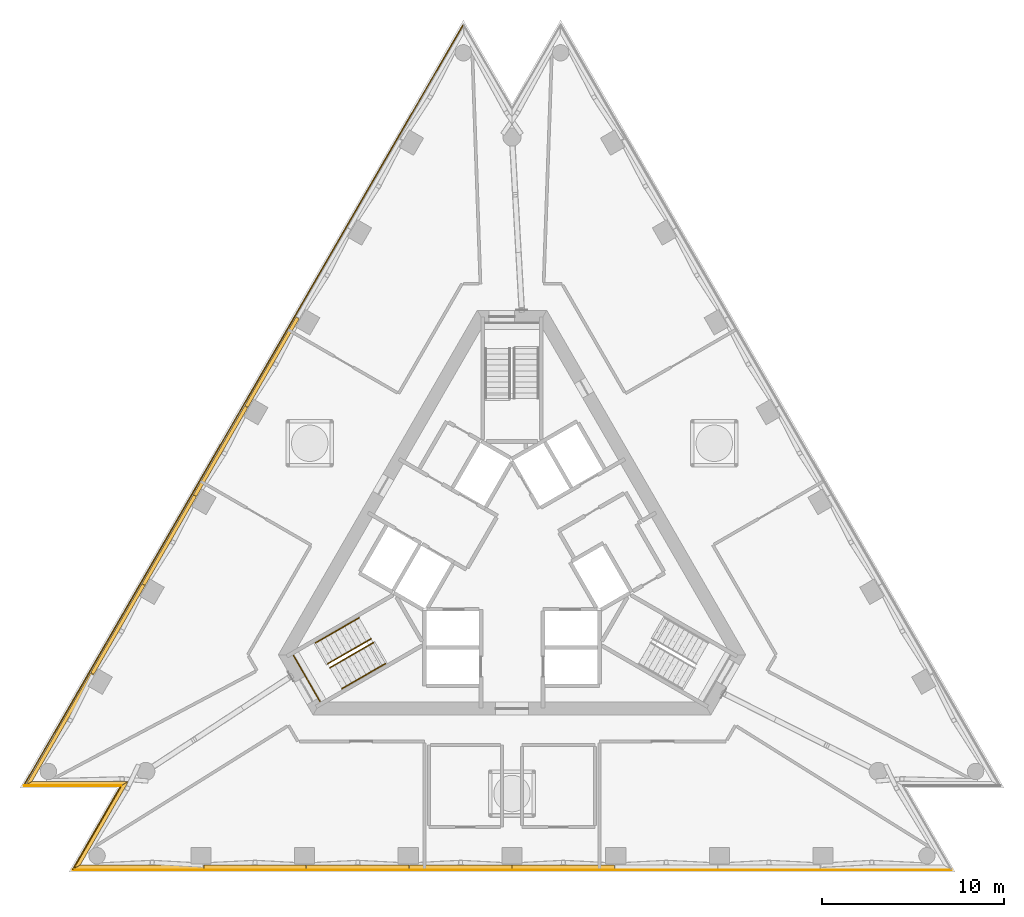
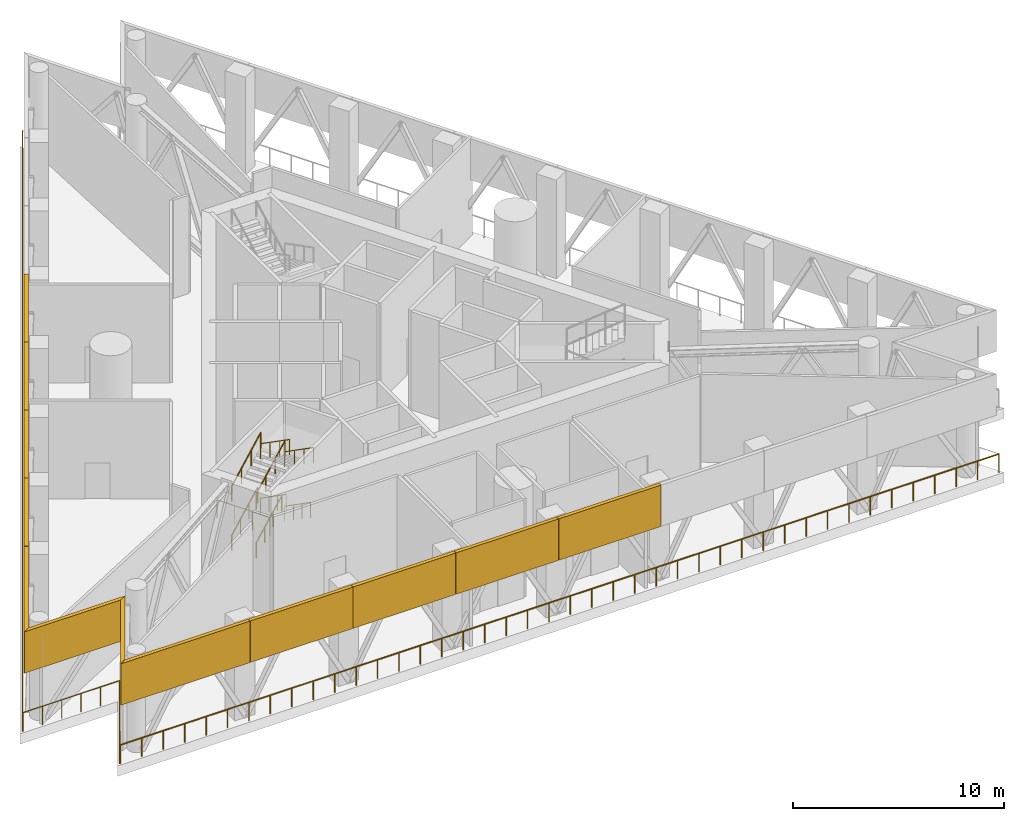
# One storey, part 12 of 15: 13 railings, 12 shading devices, 1 element without a shape of its own.
"""IFC4 building model written with IfcOpenShell, lengths in metres."""

from ifc_helpers import new_model, si_unit, direction, frame, origin, origin_2d, place, context, subcontext, project, spatial, polyline, circle, outline, extrude, material, layer, layer_set, type_object, element, aggregate, save


model = new_model("IFC4")

# Units and contexts
model_context = context("Model", 3, precision=1e-05, world=origin(), true_north=direction((0.0, 1.0)))
body_context = subcontext(model_context, "Body", "Model", "MODEL_VIEW")
ifc_project = project(units=[si_unit("LENGTHUNIT", "METRE"), si_unit("AREAUNIT", "SQUARE_METRE"), si_unit("VOLUMEUNIT", "CUBIC_METRE"), si_unit("PLANEANGLEUNIT", "RADIAN"), si_unit("MASSUNIT", "GRAM", prefix="KILO")], contexts=[model_context])

# Site, building, storey
site_placement = place(None, origin())
site = spatial("IfcSite", under=ifc_project, at=site_placement, CompositionType="ELEMENT")
building_placement = place(site_placement, origin())
building = spatial("IfcBuilding", under=site, at=building_placement, Name="Triada Interchange Tower", CompositionType="ELEMENT")
storey_placement = place(building_placement, frame((0.0, 0.0, 255.800048828125)))
storey = spatial("IfcBuildingStorey", under=building, at=storey_placement, Name="L60", CompositionType="ELEMENT", Elevation=255.800048828125)

# Stair, railings
ifc_material_1 = material(Name="Concrete C35/45", Category="concrete")
stair_type = type_object("IfcStairType", Name="HALF TURN STAIR 1400", PredefinedType="HALF_TURN_STAIR", material=ifc_material_1)
stair_placement = place(storey_placement, origin())
stair = element("IfcStair", 1, at=stair_placement, inside=storey, type_object=stair_type, Name="Exit stair S60-2", PredefinedType="HALF_TURN_STAIR")
ifc_material_2 = material(Name="Stainless steel 1.4301", Category="steel")
railing_type_1 = type_object("IfcRailingType", Name="STAIR GUARD 1100", PredefinedType="GUARDRAIL", material=ifc_material_2)
railing_1_placement = place(storey_placement, frame((-11.98291015625, -5.243896484375, 2.842041015625)))
railing_1 = element("IfcRailing", 2, at=railing_1_placement, type_object=railing_type_1, Name="Guard S60-2 1", PredefinedType="GUARDRAIL", context=body_context, shape_type="SweptSolid", body=[
    extrude(circle(Radius=0.02392578125, at=origin_2d()), frame((0.0, 0.0, 1.076171875), z_axis=(0.499877891294, -0.866095891802, 0.0), x_axis=(0.866095891802, 0.499877891294, 0.0)), (0.0, 0.0, 1.0), 2.900634765625),
    extrude(circle(Radius=0.02099609375, at=origin_2d()), origin(), (0.0, 0.0, 1.0), 1.052001953125),
    extrude(circle(Radius=0.02099609375, at=origin_2d()), frame((0.4833984375, -0.83740234375, 0.0)), (0.0, 0.0, 1.0), 1.052001953125),
    extrude(circle(Radius=0.02099609375, at=origin_2d()), frame((0.966552734375, -1.6748046875, 0.0)), (0.0, 0.0, 1.0), 1.052001953125),
    extrude(circle(Radius=0.02099609375, at=origin_2d()), frame((1.449951171875, -2.51220703125, 0.0)), (0.0, 0.0, 1.0), 1.052001953125),
])
railing_type_2 = type_object("IfcRailingType", Name="STAIR HANDRAIL 900", PredefinedType="HANDRAIL", material=ifc_material_2)
railing_2_placement = place(storey_placement, frame((-10.77099609375, -4.5439453125, 0.157958984375)))
railing_2 = element("IfcRailing", 3, at=railing_2_placement, type_object=railing_type_2, Name="Handrail S60-2 1W", PredefinedType="HANDRAIL", context=body_context, shape_type="SweptSolid", body=[
    extrude(circle(Radius=0.02392578125, at=origin_2d()), frame((0.0, 0.0, 0.8759765625), z_axis=(0.769101041409, 0.444043663076, 0.459683383848), x_axis=(-0.500002508028, 0.866023955769, 0.0)), (0.0, 0.0, 1.0), 2.747314453125),
    extrude(circle(Radius=0.02099609375, at=origin_2d()), origin(), (0.0, 0.0, 1.0), 0.851806640625),
    extrude(circle(Radius=0.02099609375, at=origin_2d()), frame((0.704345703125, 0.40673828125, 0.4208984375)), (0.0, 0.0, 1.0), 0.851806640625),
    extrude(circle(Radius=0.02099609375, at=origin_2d()), frame((1.40869140625, 0.813232421875, 0.842041015625)), (0.0, 0.0, 1.0), 0.851806640625),
    extrude(circle(Radius=0.02099609375, at=origin_2d()), frame((2.113037109375, 1.219970703125, 1.262939453125)), (0.0, 0.0, 1.0), 0.851806640625),
])
railing_3_placement = place(storey_placement, frame((-10.10595703125, -5.696044921875, 0.157958984375)))
railing_3 = element("IfcRailing", 4, at=railing_3_placement, type_object=railing_type_2, Name="Handrail S60-2 1C", PredefinedType="HANDRAIL", context=body_context, shape_type="SweptSolid", body=[
    extrude(circle(Radius=0.02392578125, at=origin_2d()), frame((0.0, 0.0, 0.8759765625), z_axis=(0.769101041409, 0.444043663076, 0.459683383848), x_axis=(-0.500002508028, 0.866023955769, 0.0)), (0.0, 0.0, 1.0), 2.747314453125),
    extrude(circle(Radius=0.02099609375, at=origin_2d()), origin(), (0.0, 0.0, 1.0), 0.851806640625),
    extrude(circle(Radius=0.02099609375, at=origin_2d()), frame((0.704345703125, 0.40673828125, 0.4208984375)), (0.0, 0.0, 1.0), 0.851806640625),
    extrude(circle(Radius=0.02099609375, at=origin_2d()), frame((1.40869140625, 0.813232421875, 0.842041015625)), (0.0, 0.0, 1.0), 0.851806640625),
    extrude(circle(Radius=0.02099609375, at=origin_2d()), frame((2.113037109375, 1.219970703125, 1.262939453125)), (0.0, 0.0, 1.0), 0.851806640625),
])
railing_4_placement = place(storey_placement, frame((-7.2080078125, -5.8359375, 1.578857421875)))
railing_4 = element("IfcRailing", 5, at=railing_4_placement, type_object=railing_type_2, Name="Handrail S60-2 2W", PredefinedType="HANDRAIL", context=body_context, shape_type="SweptSolid", body=[
    extrude(circle(Radius=0.02392578125, at=origin_2d()), frame((0.0, 0.0, 0.8759765625), z_axis=(-0.769069623744, -0.444025523957, 0.45975346427), x_axis=(0.500002508028, -0.866023955769, 0.0)), (0.0, 0.0, 1.0), 2.74755859375),
    extrude(circle(Radius=0.02099609375, at=origin_2d()), origin(), (0.0, 0.0, 1.0), 0.851806640625),
    extrude(circle(Radius=0.02099609375, at=origin_2d()), frame((-0.704345703125, -0.40673828125, 0.421142578125)), (0.0, 0.0, 1.0), 0.851806640625),
    extrude(circle(Radius=0.02099609375, at=origin_2d()), frame((-1.40869140625, -0.813232421875, 0.842041015625)), (0.0, 0.0, 1.0), 0.851806640625),
    extrude(circle(Radius=0.02099609375, at=origin_2d()), frame((-2.113037109375, -1.219970703125, 1.26318359375)), (0.0, 0.0, 1.0), 0.851806640625),
])
railing_5_placement = place(storey_placement, frame((-7.873046875, -4.68408203125, 1.578857421875)))
railing_5 = element("IfcRailing", 6, at=railing_5_placement, type_object=railing_type_2, Name="Handrail S60-2 2C", PredefinedType="HANDRAIL", context=body_context, shape_type="SweptSolid", body=[
    extrude(circle(Radius=0.02392578125, at=origin_2d()), frame((0.0, 0.0, 0.8759765625), z_axis=(-0.769069623744, -0.444025523957, 0.45975346427), x_axis=(0.500002508028, -0.866023955769, 0.0)), (0.0, 0.0, 1.0), 2.74755859375),
    extrude(circle(Radius=0.02099609375, at=origin_2d()), origin(), (0.0, 0.0, 1.0), 0.851806640625),
    extrude(circle(Radius=0.02099609375, at=origin_2d()), frame((-0.704345703125, -0.40673828125, 0.421142578125)), (0.0, 0.0, 1.0), 0.851806640625),
    extrude(circle(Radius=0.02099609375, at=origin_2d()), frame((-1.40869140625, -0.813232421875, 0.842041015625)), (0.0, 0.0, 1.0), 0.851806640625),
    extrude(circle(Radius=0.02099609375, at=origin_2d()), frame((-2.113037109375, -1.219970703125, 1.26318359375)), (0.0, 0.0, 1.0), 0.851806640625),
])
railing_6_placement = place(storey_placement, frame((-10.77099609375, -4.5439453125, 2.999755859375)))
railing_6 = element("IfcRailing", 7, at=railing_6_placement, type_object=railing_type_2, Name="Handrail S60-2 3W", PredefinedType="HANDRAIL", context=body_context, shape_type="SweptSolid", body=[
    extrude(circle(Radius=0.02392578125, at=origin_2d()), frame((0.0, 0.0, 0.8759765625), z_axis=(0.769105203306, 0.443878609016, 0.459835804072), x_axis=(-0.49986106923, 0.866105600645, 0.0)), (0.0, 0.0, 1.0), 3.090576171875),
    extrude(circle(Radius=0.02099609375, at=origin_2d()), origin(), (0.0, 0.0, 1.0), 0.851806640625),
    extrude(circle(Radius=0.02099609375, at=origin_2d()), frame((0.792236328125, 0.457275390625, 0.4736328125)), (0.0, 0.0, 1.0), 0.851806640625),
    extrude(circle(Radius=0.02099609375, at=origin_2d()), frame((1.584716796875, 0.91455078125, 0.947509765625)), (0.0, 0.0, 1.0), 0.851806640625),
    extrude(circle(Radius=0.02099609375, at=origin_2d()), frame((2.376953125, 1.371826171875, 1.421142578125)), (0.0, 0.0, 1.0), 0.851806640625),
])
railing_7_placement = place(storey_placement, frame((-10.10595703125, -5.696044921875, 2.999755859375)))
railing_7 = element("IfcRailing", 8, at=railing_7_placement, type_object=railing_type_2, Name="Handrail S60-2 3C", PredefinedType="HANDRAIL", context=body_context, shape_type="SweptSolid", body=[
    extrude(circle(Radius=0.02392578125, at=origin_2d()), frame((0.0, 0.0, 0.8759765625), z_axis=(0.768970336804, 0.444195683462, 0.459755169529), x_axis=(-0.500194616298, 0.865913012852, 0.0)), (0.0, 0.0, 1.0), 3.091064453125),
    extrude(circle(Radius=0.02099609375, at=origin_2d()), origin(), (0.0, 0.0, 1.0), 0.851806640625),
    extrude(circle(Radius=0.02099609375, at=origin_2d()), frame((0.792236328125, 0.457763671875, 0.4736328125)), (0.0, 0.0, 1.0), 0.851806640625),
    extrude(circle(Radius=0.02099609375, at=origin_2d()), frame((1.584716796875, 0.915283203125, 0.947509765625)), (0.0, 0.0, 1.0), 0.851806640625),
    extrude(circle(Radius=0.02099609375, at=origin_2d()), frame((2.376953125, 1.373046875, 1.421142578125)), (0.0, 0.0, 1.0), 0.851806640625),
])
railing_8_placement = place(storey_placement, frame((-6.944091796875, -5.68310546875, 4.578857421875)))
railing_8 = element("IfcRailing", 9, at=railing_8_placement, type_object=railing_type_2, Name="Handrail S60-2 4W", PredefinedType="HANDRAIL", context=body_context, shape_type="SweptSolid", body=[
    extrude(circle(Radius=0.02392578125, at=origin_2d()), frame((0.0, 0.0, 0.8759765625), z_axis=(-0.769133140326, -0.443894732487, 0.459773508288), x_axis=(0.49986106923, -0.866105600645, 0.0)), (0.0, 0.0, 1.0), 3.09033203125),
    extrude(circle(Radius=0.02099609375, at=origin_2d()), origin(), (0.0, 0.0, 1.0), 0.851806640625),
    extrude(circle(Radius=0.02099609375, at=origin_2d()), frame((-0.792236328125, -0.457275390625, 0.4736328125)), (0.0, 0.0, 1.0), 0.851806640625),
    extrude(circle(Radius=0.02099609375, at=origin_2d()), frame((-1.584716796875, -0.91455078125, 0.947265625)), (0.0, 0.0, 1.0), 0.851806640625),
    extrude(circle(Radius=0.02099609375, at=origin_2d()), frame((-2.376953125, -1.371826171875, 1.4208984375)), (0.0, 0.0, 1.0), 0.851806640625),
])
railing_9_placement = place(storey_placement, frame((-7.60888671875, -4.531005859375, 4.578857421875)))
railing_9 = element("IfcRailing", 10, at=railing_9_placement, type_object=railing_type_2, Name="Handrail S60-2 4C", PredefinedType="HANDRAIL", context=body_context, shape_type="SweptSolid", body=[
    extrude(circle(Radius=0.02392578125, at=origin_2d()), frame((0.0, 0.0, 0.8759765625), z_axis=(-0.769030532764, -0.444184832727, 0.459664958477), x_axis=(0.500156096934, -0.865935262419, 0.0)), (0.0, 0.0, 1.0), 3.091064453125),
    extrude(circle(Radius=0.02099609375, at=origin_2d()), origin(), (0.0, 0.0, 1.0), 0.851806640625),
    extrude(circle(Radius=0.02099609375, at=origin_2d()), frame((-0.79248046875, -0.457763671875, 0.4736328125)), (0.0, 0.0, 1.0), 0.851806640625),
    extrude(circle(Radius=0.02099609375, at=origin_2d()), frame((-1.584716796875, -0.915283203125, 0.947265625)), (0.0, 0.0, 1.0), 0.851806640625),
    extrude(circle(Radius=0.02099609375, at=origin_2d()), frame((-2.377197265625, -1.373046875, 1.4208984375)), (0.0, 0.0, 1.0), 0.851806640625),
])
aggregate(stair, [railing_2, railing_3, railing_4, railing_5, railing_6, railing_7, railing_8, railing_9, railing_1])

# Railings
railing_type_3 = type_object("IfcRailingType", Name="Slot edge guard 1100", PredefinedType="GUARDRAIL", material=ifc_material_2)
railing_10_placement = place(storey_placement, frame((-2.68408203125, 29.35498046875, 0.0)))
element("IfcRailing", 11, at=railing_10_placement, inside=storey, type_object=railing_type_3, Name="Slot edge guard NW", PredefinedType="GUARDRAIL", context=body_context, shape_type="SweptSolid", body=[
    extrude(circle(Radius=0.02392578125, at=origin_2d()), frame((0.0, 0.0, 1.076171875), z_axis=(-0.499998443223, -0.866026302588, 0.0), x_axis=(0.866026302588, -0.499998443223, 0.0)), (0.0, 0.0, 1.0), 48.190185546875),
    extrude(circle(Radius=0.02099609375, at=origin_2d()), origin(), (0.0, 0.0, 1.0), 1.052001953125),
    extrude(circle(Radius=0.02099609375, at=origin_2d()), frame((-0.587646484375, -1.017822265625, 0.0)), (0.0, 0.0, 1.0), 1.052001953125),
    extrude(circle(Radius=0.02099609375, at=origin_2d()), frame((-1.17529296875, -2.035888671875, 0.0)), (0.0, 0.0, 1.0), 1.052001953125),
    extrude(circle(Radius=0.02099609375, at=origin_2d()), frame((-1.762939453125, -3.0537109375, 0.0)), (0.0, 0.0, 1.0), 1.052001953125),
    extrude(circle(Radius=0.02099609375, at=origin_2d()), frame((-2.350830078125, -4.071533203125, 0.0)), (0.0, 0.0, 1.0), 1.052001953125),
    extrude(circle(Radius=0.02099609375, at=origin_2d()), frame((-2.9384765625, -5.089599609375, 0.0)), (0.0, 0.0, 1.0), 1.052001953125),
    extrude(circle(Radius=0.02099609375, at=origin_2d()), frame((-3.526123046875, -6.107421875, 0.0)), (0.0, 0.0, 1.0), 1.052001953125),
    extrude(circle(Radius=0.02099609375, at=origin_2d()), frame((-4.11376953125, -7.125244140625, 0.0)), (0.0, 0.0, 1.0), 1.052001953125),
    extrude(circle(Radius=0.02099609375, at=origin_2d()), frame((-4.701416015625, -8.143310546875, 0.0)), (0.0, 0.0, 1.0), 1.052001953125),
    extrude(circle(Radius=0.02099609375, at=origin_2d()), frame((-5.2890625, -9.1611328125, 0.0)), (0.0, 0.0, 1.0), 1.052001953125),
    extrude(circle(Radius=0.02099609375, at=origin_2d()), frame((-5.876708984375, -10.178955078125, 0.0)), (0.0, 0.0, 1.0), 1.052001953125),
    extrude(circle(Radius=0.02099609375, at=origin_2d()), frame((-6.464599609375, -11.19677734375, 0.0)), (0.0, 0.0, 1.0), 1.052001953125),
    extrude(circle(Radius=0.02099609375, at=origin_2d()), frame((-7.05224609375, -12.21484375, 0.0)), (0.0, 0.0, 1.0), 1.052001953125),
    extrude(circle(Radius=0.02099609375, at=origin_2d()), frame((-7.639892578125, -13.232666015625, 0.0)), (0.0, 0.0, 1.0), 1.052001953125),
    extrude(circle(Radius=0.02099609375, at=origin_2d()), frame((-8.2275390625, -14.25048828125, 0.0)), (0.0, 0.0, 1.0), 1.052001953125),
    extrude(circle(Radius=0.02099609375, at=origin_2d()), frame((-8.815185546875, -15.2685546875, 0.0)), (0.0, 0.0, 1.0), 1.052001953125),
    extrude(circle(Radius=0.02099609375, at=origin_2d()), frame((-9.40283203125, -16.286376953125, 0.0)), (0.0, 0.0, 1.0), 1.052001953125),
    extrude(circle(Radius=0.02099609375, at=origin_2d()), frame((-9.990478515625, -17.30419921875, 0.0)), (0.0, 0.0, 1.0), 1.052001953125),
    extrude(circle(Radius=0.02099609375, at=origin_2d()), frame((-10.578369140625, -18.322265625, 0.0)), (0.0, 0.0, 1.0), 1.052001953125),
    extrude(circle(Radius=0.02099609375, at=origin_2d()), frame((-11.166015625, -19.340087890625, 0.0)), (0.0, 0.0, 1.0), 1.052001953125),
    extrude(circle(Radius=0.02099609375, at=origin_2d()), frame((-11.753662109375, -20.35791015625, 0.0)), (0.0, 0.0, 1.0), 1.052001953125),
    extrude(circle(Radius=0.02099609375, at=origin_2d()), frame((-12.34130859375, -21.3759765625, 0.0)), (0.0, 0.0, 1.0), 1.052001953125),
    extrude(circle(Radius=0.02099609375, at=origin_2d()), frame((-12.928955078125, -22.393798828125, 0.0)), (0.0, 0.0, 1.0), 1.052001953125),
    extrude(circle(Radius=0.02099609375, at=origin_2d()), frame((-13.5166015625, -23.41162109375, 0.0)), (0.0, 0.0, 1.0), 1.052001953125),
    extrude(circle(Radius=0.02099609375, at=origin_2d()), frame((-14.1044921875, -24.4296875, 0.0)), (0.0, 0.0, 1.0), 1.052001953125),
    extrude(circle(Radius=0.02099609375, at=origin_2d()), frame((-14.692138671875, -25.447509765625, 0.0)), (0.0, 0.0, 1.0), 1.052001953125),
    extrude(circle(Radius=0.02099609375, at=origin_2d()), frame((-15.27978515625, -26.46533203125, 0.0)), (0.0, 0.0, 1.0), 1.052001953125),
    extrude(circle(Radius=0.02099609375, at=origin_2d()), frame((-15.867431640625, -27.4833984375, 0.0)), (0.0, 0.0, 1.0), 1.052001953125),
    extrude(circle(Radius=0.02099609375, at=origin_2d()), frame((-16.455078125, -28.501220703125, 0.0)), (0.0, 0.0, 1.0), 1.052001953125),
    extrude(circle(Radius=0.02099609375, at=origin_2d()), frame((-17.042724609375, -29.51904296875, 0.0)), (0.0, 0.0, 1.0), 1.052001953125),
    extrude(circle(Radius=0.02099609375, at=origin_2d()), frame((-17.63037109375, -30.537109375, 0.0)), (0.0, 0.0, 1.0), 1.052001953125),
    extrude(circle(Radius=0.02099609375, at=origin_2d()), frame((-18.21826171875, -31.554931640625, 0.0)), (0.0, 0.0, 1.0), 1.052001953125),
    extrude(circle(Radius=0.02099609375, at=origin_2d()), frame((-18.805908203125, -32.57275390625, 0.0)), (0.0, 0.0, 1.0), 1.052001953125),
    extrude(circle(Radius=0.02099609375, at=origin_2d()), frame((-19.3935546875, -33.590576171875, 0.0)), (0.0, 0.0, 1.0), 1.052001953125),
    extrude(circle(Radius=0.02099609375, at=origin_2d()), frame((-19.981201171875, -34.608642578125, 0.0)), (0.0, 0.0, 1.0), 1.052001953125),
    extrude(circle(Radius=0.02099609375, at=origin_2d()), frame((-20.56884765625, -35.62646484375, 0.0)), (0.0, 0.0, 1.0), 1.052001953125),
    extrude(circle(Radius=0.02099609375, at=origin_2d()), frame((-21.156494140625, -36.644287109375, 0.0)), (0.0, 0.0, 1.0), 1.052001953125),
    extrude(circle(Radius=0.02099609375, at=origin_2d()), frame((-21.744140625, -37.662353515625, 0.0)), (0.0, 0.0, 1.0), 1.052001953125),
    extrude(circle(Radius=0.02099609375, at=origin_2d()), frame((-22.33203125, -38.68017578125, 0.0)), (0.0, 0.0, 1.0), 1.052001953125),
    extrude(circle(Radius=0.02099609375, at=origin_2d()), frame((-22.919677734375, -39.697998046875, 0.0)), (0.0, 0.0, 1.0), 1.052001953125),
    extrude(circle(Radius=0.02099609375, at=origin_2d()), frame((-23.50732421875, -40.716064453125, 0.0)), (0.0, 0.0, 1.0), 1.052001953125),
    extrude(circle(Radius=0.02099609375, at=origin_2d()), frame((-24.094970703125, -41.73388671875, 0.0)), (0.0, 0.0, 1.0), 1.052001953125),
])
railing_11_placement = place(storey_placement, frame((-26.7490234375, -12.37890625, 0.0)))
element("IfcRailing", 12, at=railing_11_placement, inside=storey, type_object=railing_type_3, Name="Slot edge guard SW-1", PredefinedType="GUARDRAIL", context=body_context, shape_type="SweptSolid", body=[
    extrude(circle(Radius=0.02392578125, at=origin_2d()), frame((0.0, 0.0, 1.076171875), z_axis=(1.0, 0.0, 0.0), x_axis=(0.0, 1.0, 0.0)), (0.0, 0.0, 1.0), 5.30810546875),
    extrude(circle(Radius=0.02099609375, at=origin_2d()), origin(), (0.0, 0.0, 1.0), 1.052001953125),
    extrude(circle(Radius=0.02099609375, at=origin_2d()), frame((1.0615234375, 0.0, 0.0)), (0.0, 0.0, 1.0), 1.052001953125),
    extrude(circle(Radius=0.02099609375, at=origin_2d()), frame((2.123291015625, 0.0, 0.0)), (0.0, 0.0, 1.0), 1.052001953125),
    extrude(circle(Radius=0.02099609375, at=origin_2d()), frame((3.184814453125, 0.0, 0.0)), (0.0, 0.0, 1.0), 1.052001953125),
    extrude(circle(Radius=0.02099609375, at=origin_2d()), frame((4.24658203125, 0.0, 0.0)), (0.0, 0.0, 1.0), 1.052001953125),
    extrude(circle(Radius=0.02099609375, at=origin_2d()), frame((5.30810546875, 0.0, 0.0)), (0.0, 0.0, 1.0), 1.052001953125),
])
railing_12_placement = place(storey_placement, frame((-21.4560546875, -12.405029296875, 0.0)))
element("IfcRailing", 13, at=railing_12_placement, inside=storey, type_object=railing_type_3, Name="Slot edge guard SW-2", PredefinedType="GUARDRAIL", context=body_context, shape_type="SweptSolid", body=[
    extrude(circle(Radius=0.02392578125, at=origin_2d()), frame((0.0, 0.0, 1.076171875), z_axis=(-0.500002476143, -0.866023974178, 0.0), x_axis=(0.866023974178, -0.500002476143, 0.0)), (0.0, 0.0, 1.0), 5.30810546875),
    extrude(circle(Radius=0.02099609375, at=origin_2d()), origin(), (0.0, 0.0, 1.0), 1.052001953125),
    extrude(circle(Radius=0.02099609375, at=origin_2d()), frame((-0.53076171875, -0.91943359375, 0.0)), (0.0, 0.0, 1.0), 1.052001953125),
    extrude(circle(Radius=0.02099609375, at=origin_2d()), frame((-1.0615234375, -1.8388671875, 0.0)), (0.0, 0.0, 1.0), 1.052001953125),
    extrude(circle(Radius=0.02099609375, at=origin_2d()), frame((-1.592529296875, -2.758056640625, 0.0)), (0.0, 0.0, 1.0), 1.052001953125),
    extrude(circle(Radius=0.02099609375, at=origin_2d()), frame((-2.123291015625, -3.677490234375, 0.0)), (0.0, 0.0, 1.0), 1.052001953125),
    extrude(circle(Radius=0.02099609375, at=origin_2d()), frame((-2.654052734375, -4.596923828125, 0.0)), (0.0, 0.0, 1.0), 1.052001953125),
])
railing_13_placement = place(storey_placement, frame((-24.080078125, -17.001953125, 0.0)))
element("IfcRailing", 14, at=railing_13_placement, inside=storey, type_object=railing_type_3, Name="Slot edge guard S", PredefinedType="GUARDRAIL", context=body_context, shape_type="SweptSolid", body=[
    extrude(circle(Radius=0.02392578125, at=origin_2d()), frame((0.0, 0.0, 1.076171875), z_axis=(1.0, 0.0, 0.0), x_axis=(0.0, 1.0, 0.0)), (0.0, 0.0, 1.0), 48.190185546875),
    extrude(circle(Radius=0.02099609375, at=origin_2d()), origin(), (0.0, 0.0, 1.0), 1.052001953125),
    extrude(circle(Radius=0.02099609375, at=origin_2d()), frame((1.17529296875, 0.0, 0.0)), (0.0, 0.0, 1.0), 1.052001953125),
    extrude(circle(Radius=0.02099609375, at=origin_2d()), frame((2.350830078125, 0.0, 0.0)), (0.0, 0.0, 1.0), 1.052001953125),
    extrude(circle(Radius=0.02099609375, at=origin_2d()), frame((3.526123046875, 0.0, 0.0)), (0.0, 0.0, 1.0), 1.052001953125),
    extrude(circle(Radius=0.02099609375, at=origin_2d()), frame((4.701416015625, 0.0, 0.0)), (0.0, 0.0, 1.0), 1.052001953125),
    extrude(circle(Radius=0.02099609375, at=origin_2d()), frame((5.876953125, 0.0, 0.0)), (0.0, 0.0, 1.0), 1.052001953125),
    extrude(circle(Radius=0.02099609375, at=origin_2d()), frame((7.05224609375, 0.0, 0.0)), (0.0, 0.0, 1.0), 1.052001953125),
    extrude(circle(Radius=0.02099609375, at=origin_2d()), frame((8.2275390625, 0.0, 0.0)), (0.0, 0.0, 1.0), 1.052001953125),
    extrude(circle(Radius=0.02099609375, at=origin_2d()), frame((9.403076171875, 0.0, 0.0)), (0.0, 0.0, 1.0), 1.052001953125),
    extrude(circle(Radius=0.02099609375, at=origin_2d()), frame((10.578369140625, 0.0, 0.0)), (0.0, 0.0, 1.0), 1.052001953125),
    extrude(circle(Radius=0.02099609375, at=origin_2d()), frame((11.753662109375, 0.0, 0.0)), (0.0, 0.0, 1.0), 1.052001953125),
    extrude(circle(Radius=0.02099609375, at=origin_2d()), frame((12.928955078125, 0.0, 0.0)), (0.0, 0.0, 1.0), 1.052001953125),
    extrude(circle(Radius=0.02099609375, at=origin_2d()), frame((14.1044921875, 0.0, 0.0)), (0.0, 0.0, 1.0), 1.052001953125),
    extrude(circle(Radius=0.02099609375, at=origin_2d()), frame((15.27978515625, 0.0, 0.0)), (0.0, 0.0, 1.0), 1.052001953125),
    extrude(circle(Radius=0.02099609375, at=origin_2d()), frame((16.455078125, 0.0, 0.0)), (0.0, 0.0, 1.0), 1.052001953125),
    extrude(circle(Radius=0.02099609375, at=origin_2d()), frame((17.630615234375, 0.0, 0.0)), (0.0, 0.0, 1.0), 1.052001953125),
    extrude(circle(Radius=0.02099609375, at=origin_2d()), frame((18.805908203125, 0.0, 0.0)), (0.0, 0.0, 1.0), 1.052001953125),
    extrude(circle(Radius=0.02099609375, at=origin_2d()), frame((19.981201171875, 0.0, 0.0)), (0.0, 0.0, 1.0), 1.052001953125),
    extrude(circle(Radius=0.02099609375, at=origin_2d()), frame((21.15673828125, 0.0, 0.0)), (0.0, 0.0, 1.0), 1.052001953125),
    extrude(circle(Radius=0.02099609375, at=origin_2d()), frame((22.33203125, 0.0, 0.0)), (0.0, 0.0, 1.0), 1.052001953125),
    extrude(circle(Radius=0.02099609375, at=origin_2d()), frame((23.50732421875, 0.0, 0.0)), (0.0, 0.0, 1.0), 1.052001953125),
    extrude(circle(Radius=0.02099609375, at=origin_2d()), frame((24.682861328125, 0.0, 0.0)), (0.0, 0.0, 1.0), 1.052001953125),
    extrude(circle(Radius=0.02099609375, at=origin_2d()), frame((25.858154296875, 0.0, 0.0)), (0.0, 0.0, 1.0), 1.052001953125),
    extrude(circle(Radius=0.02099609375, at=origin_2d()), frame((27.033447265625, 0.0, 0.0)), (0.0, 0.0, 1.0), 1.052001953125),
    extrude(circle(Radius=0.02099609375, at=origin_2d()), frame((28.208984375, 0.0, 0.0)), (0.0, 0.0, 1.0), 1.052001953125),
    extrude(circle(Radius=0.02099609375, at=origin_2d()), frame((29.38427734375, 0.0, 0.0)), (0.0, 0.0, 1.0), 1.052001953125),
    extrude(circle(Radius=0.02099609375, at=origin_2d()), frame((30.5595703125, 0.0, 0.0)), (0.0, 0.0, 1.0), 1.052001953125),
    extrude(circle(Radius=0.02099609375, at=origin_2d()), frame((31.735107421875, 0.0, 0.0)), (0.0, 0.0, 1.0), 1.052001953125),
    extrude(circle(Radius=0.02099609375, at=origin_2d()), frame((32.910400390625, 0.0, 0.0)), (0.0, 0.0, 1.0), 1.052001953125),
    extrude(circle(Radius=0.02099609375, at=origin_2d()), frame((34.085693359375, 0.0, 0.0)), (0.0, 0.0, 1.0), 1.052001953125),
    extrude(circle(Radius=0.02099609375, at=origin_2d()), frame((35.26123046875, 0.0, 0.0)), (0.0, 0.0, 1.0), 1.052001953125),
    extrude(circle(Radius=0.02099609375, at=origin_2d()), frame((36.4365234375, 0.0, 0.0)), (0.0, 0.0, 1.0), 1.052001953125),
    extrude(circle(Radius=0.02099609375, at=origin_2d()), frame((37.61181640625, 0.0, 0.0)), (0.0, 0.0, 1.0), 1.052001953125),
    extrude(circle(Radius=0.02099609375, at=origin_2d()), frame((38.787109375, 0.0, 0.0)), (0.0, 0.0, 1.0), 1.052001953125),
    extrude(circle(Radius=0.02099609375, at=origin_2d()), frame((39.962646484375, 0.0, 0.0)), (0.0, 0.0, 1.0), 1.052001953125),
    extrude(circle(Radius=0.02099609375, at=origin_2d()), frame((41.137939453125, 0.0, 0.0)), (0.0, 0.0, 1.0), 1.052001953125),
    extrude(circle(Radius=0.02099609375, at=origin_2d()), frame((42.313232421875, 0.0, 0.0)), (0.0, 0.0, 1.0), 1.052001953125),
    extrude(circle(Radius=0.02099609375, at=origin_2d()), frame((43.48876953125, 0.0, 0.0)), (0.0, 0.0, 1.0), 1.052001953125),
    extrude(circle(Radius=0.02099609375, at=origin_2d()), frame((44.6640625, 0.0, 0.0)), (0.0, 0.0, 1.0), 1.052001953125),
    extrude(circle(Radius=0.02099609375, at=origin_2d()), frame((45.83935546875, 0.0, 0.0)), (0.0, 0.0, 1.0), 1.052001953125),
    extrude(circle(Radius=0.02099609375, at=origin_2d()), frame((47.014892578125, 0.0, 0.0)), (0.0, 0.0, 1.0), 1.052001953125),
    extrude(circle(Radius=0.02099609375, at=origin_2d()), frame((48.190185546875, 0.0, 0.0)), (0.0, 0.0, 1.0), 1.052001953125),
])

# Shading devices
ifc_material_3 = material(Name="Aluminium louvre", Category="aluminium")
ifc_layer = layer(ifc_material_3, 0.199951171875)
ifc_layer_set = layer_set([ifc_layer], Name="Slot louvre fascia")
shading_device_type = type_object("IfcShadingDeviceType", Name="Slot louvre fascia", PredefinedType="JALOUSIE", material=ifc_layer_set)
shading_device_1_placement = place(storey_placement, frame((0.0, 0.0, 3.300048828125)))
element("IfcShadingDevice", 15, at=shading_device_1_placement, inside=storey, type_object=shading_device_type, Name="Slot louvre fascia 04", PredefinedType="JALOUSIE", context=body_context, shape_type="SweptSolid", body=[
    extrude(outline(polyline([(-11.843994140625, 13.3369140625), (-11.6708984375, 13.237060546875), (-14.47998046875, 8.3720703125), (-14.653076171875, 8.471923828125), (-11.843994140625, 13.3369140625)])), origin(), (0.0, 0.0, 1.0), 2.39990234375),
])
shading_device_2_placement = place(storey_placement, frame((0.0, 0.0, 3.300048828125)))
element("IfcShadingDevice", 16, at=shading_device_2_placement, inside=storey, type_object=shading_device_type, Name="Slot louvre fascia 05", PredefinedType="JALOUSIE", context=body_context, shape_type="SweptSolid", body=[
    extrude(outline(polyline([(-14.6630859375, 8.4541015625), (-14.489990234375, 8.35400390625), (-17.299072265625, 3.489013671875), (-17.471923828125, 3.589111328125), (-14.6630859375, 8.4541015625)])), origin(), (0.0, 0.0, 1.0), 2.39990234375),
])
shading_device_3_placement = place(storey_placement, frame((0.0, 0.0, 3.300048828125)))
element("IfcShadingDevice", 17, at=shading_device_3_placement, inside=storey, type_object=shading_device_type, Name="Slot louvre fascia 06", PredefinedType="JALOUSIE", context=body_context, shape_type="SweptSolid", body=[
    extrude(outline(polyline([(-17.48193359375, 3.572021484375), (-17.30908203125, 3.471923828125), (-20.117919921875, -1.39306640625), (-20.291015625, -1.29296875), (-17.48193359375, 3.572021484375)])), origin(), (0.0, 0.0, 1.0), 2.39990234375),
])
shading_device_4_placement = place(storey_placement, frame((0.0, 0.0, 3.300048828125)))
element("IfcShadingDevice", 18, at=shading_device_4_placement, inside=storey, type_object=shading_device_type, Name="Slot louvre fascia 07", PredefinedType="JALOUSIE", context=body_context, shape_type="SweptSolid", body=[
    extrude(outline(polyline([(-20.301025390625, -1.31103515625), (-20.1279296875, -1.410888671875), (-22.93701171875, -6.27587890625), (-23.110107421875, -6.176025390625), (-20.301025390625, -1.31103515625)])), origin(), (0.0, 0.0, 1.0), 2.39990234375),
])
shading_device_5_placement = place(storey_placement, frame((0.0, 0.0, 3.300048828125)))
element("IfcShadingDevice", 19, at=shading_device_5_placement, inside=storey, type_object=shading_device_type, Name="Slot louvre fascia 08", PredefinedType="JALOUSIE", context=body_context, shape_type="SweptSolid", body=[
    extrude(outline(polyline([(-23.1201171875, -6.193115234375), (-22.947021484375, -6.29296875), (-26.319091796875, -12.133056640625), (-26.6650390625, -12.3330078125), (-23.1201171875, -6.193115234375)])), origin(), (0.0, 0.0, 1.0), 2.39990234375),
])
shading_device_6_placement = place(storey_placement, frame((0.0, 0.0, 3.300048828125)))
element("IfcShadingDevice", 20, at=shading_device_6_placement, inside=storey, type_object=shading_device_type, Name="Slot louvre fascia 09", PredefinedType="JALOUSIE", context=body_context, shape_type="SweptSolid", body=[
    extrude(outline(polyline([(-26.659912109375, -12.342041015625), (-26.31396484375, -12.14208984375), (-21.041015625, -12.14208984375), (-21.386962890625, -12.342041015625), (-26.659912109375, -12.342041015625)])), origin(), (0.0, 0.0, 1.0), 2.39990234375),
])
shading_device_7_placement = place(storey_placement, frame((0.0, 0.0, 3.300048828125)))
element("IfcShadingDevice", 21, at=shading_device_7_placement, inside=storey, type_object=shading_device_type, Name="Slot louvre fascia 10", PredefinedType="JALOUSIE", context=body_context, shape_type="SweptSolid", body=[
    extrude(outline(polyline([(-21.382080078125, -12.35107421875), (-21.035888671875, -12.15087890625), (-23.673095703125, -16.717041015625), (-24.01904296875, -16.9169921875), (-21.382080078125, -12.35107421875)])), origin(), (0.0, 0.0, 1.0), 2.39990234375),
])
shading_device_8_placement = place(storey_placement, frame((0.0, 0.0, 3.300048828125)))
element("IfcShadingDevice", 22, at=shading_device_8_placement, inside=storey, type_object=shading_device_type, Name="Slot louvre fascia 11", PredefinedType="JALOUSIE", context=body_context, shape_type="SweptSolid", body=[
    extrude(outline(polyline([(-24.013916015625, -16.926025390625), (-23.66796875, -16.72607421875), (-16.924072265625, -16.72607421875), (-16.924072265625, -16.926025390625), (-24.013916015625, -16.926025390625)])), origin(), (0.0, 0.0, 1.0), 2.39990234375),
])
shading_device_9_placement = place(storey_placement, frame((0.0, 0.0, 3.300048828125)))
element("IfcShadingDevice", 23, at=shading_device_9_placement, inside=storey, type_object=shading_device_type, Name="Slot louvre fascia 12", PredefinedType="JALOUSIE", context=body_context, shape_type="SweptSolid", body=[
    extrude(outline(polyline([(-16.904052734375, -16.926025390625), (-16.904052734375, -16.72607421875), (-11.285888671875, -16.72607421875), (-11.285888671875, -16.926025390625), (-16.904052734375, -16.926025390625)])), origin(), (0.0, 0.0, 1.0), 2.39990234375),
])
shading_device_10_placement = place(storey_placement, frame((0.0, 0.0, 3.300048828125)))
element("IfcShadingDevice", 24, at=shading_device_10_placement, inside=storey, type_object=shading_device_type, Name="Slot louvre fascia 13", PredefinedType="JALOUSIE", context=body_context, shape_type="SweptSolid", body=[
    extrude(outline(polyline([(-11.26611328125, -16.926025390625), (-11.26611328125, -16.72607421875), (-5.64794921875, -16.72607421875), (-5.64794921875, -16.926025390625), (-11.26611328125, -16.926025390625)])), origin(), (0.0, 0.0, 1.0), 2.39990234375),
])
shading_device_11_placement = place(storey_placement, frame((0.0, 0.0, 3.300048828125)))
element("IfcShadingDevice", 25, at=shading_device_11_placement, inside=storey, type_object=shading_device_type, Name="Slot louvre fascia 14", PredefinedType="JALOUSIE", context=body_context, shape_type="SweptSolid", body=[
    extrude(outline(polyline([(-5.6279296875, -16.926025390625), (-5.6279296875, -16.72607421875), (-0.010009765625, -16.72607421875), (-0.010009765625, -16.926025390625), (-5.6279296875, -16.926025390625)])), origin(), (0.0, 0.0, 1.0), 2.39990234375),
])
shading_device_12_placement = place(storey_placement, frame((0.0, 0.0, 3.300048828125)))
element("IfcShadingDevice", 26, at=shading_device_12_placement, inside=storey, type_object=shading_device_type, Name="Slot louvre fascia 15", PredefinedType="JALOUSIE", context=body_context, shape_type="SweptSolid", body=[
    extrude(outline(polyline([(0.010009765625, -16.926025390625), (0.010009765625, -16.72607421875), (5.6279296875, -16.72607421875), (5.6279296875, -16.926025390625), (0.010009765625, -16.926025390625)])), origin(), (0.0, 0.0, 1.0), 2.39990234375),
])

save(model, "model.ifc")
